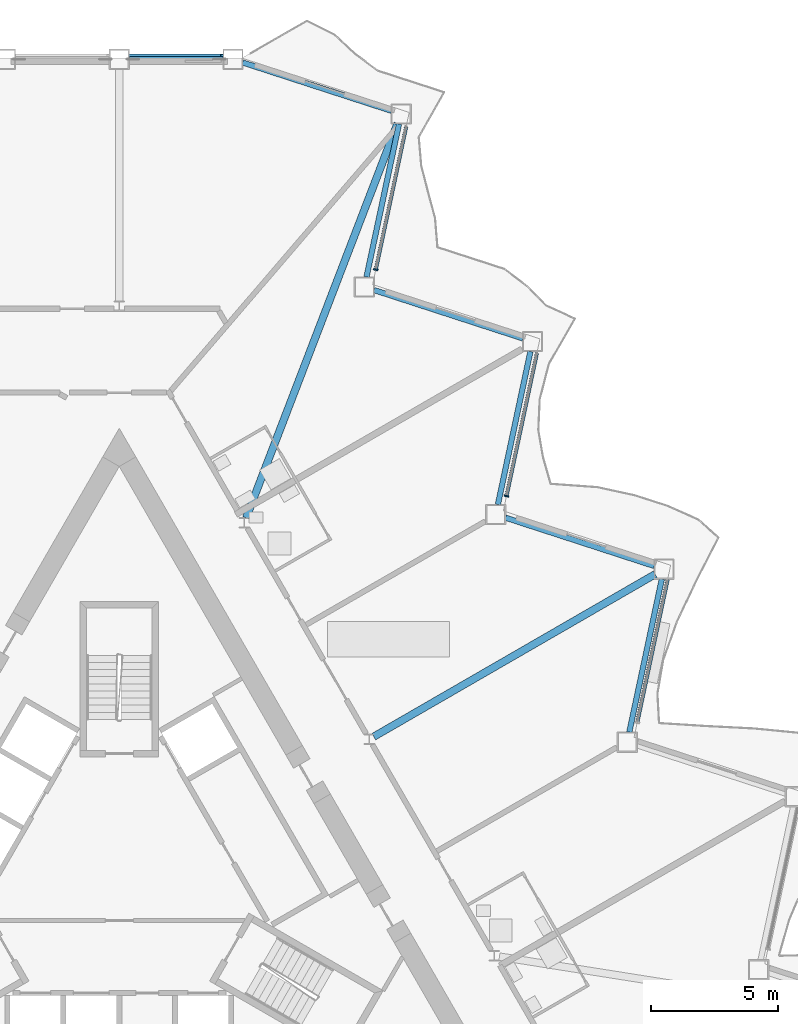
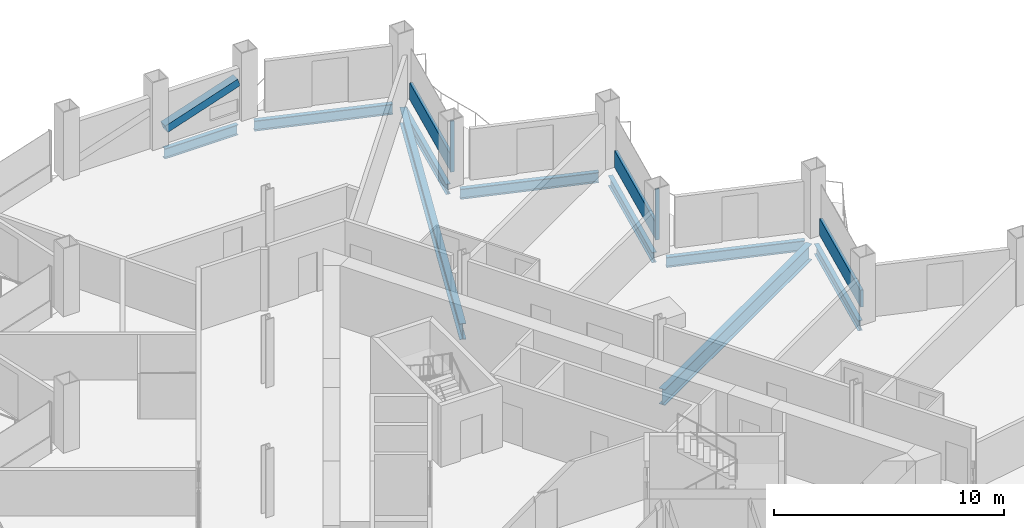
# One storey, part 8 of 22: 9 beams, 6 members, 3 elements without a shape of their own.
"""IFC4 building model written with IfcOpenShell, lengths in metres."""

from ifc_helpers import new_model, si_unit, direction, frame, origin, origin_2d, place, context, subcontext, project, spatial, rectangle, hollow_rectangle, i_section, extrude, material, layer, layer_set, material_profile, profile_set, type_object, element, aggregate, save


model = new_model("IFC4")

# Units and contexts
model_context = context("Model", 3, precision=1e-05, world=origin(), true_north=direction((0.0, 1.0)))
body_context = subcontext(model_context, "Body", "Model", "MODEL_VIEW")
ifc_project = project(units=[si_unit("LENGTHUNIT", "METRE"), si_unit("AREAUNIT", "SQUARE_METRE"), si_unit("VOLUMEUNIT", "CUBIC_METRE"), si_unit("PLANEANGLEUNIT", "RADIAN"), si_unit("MASSUNIT", "GRAM", prefix="KILO")], contexts=[model_context])

# Site, building, storey
site_placement = place(None, origin())
site = spatial("IfcSite", under=ifc_project, at=site_placement, CompositionType="ELEMENT")
building_placement = place(site_placement, origin())
building = spatial("IfcBuilding", under=site, at=building_placement, Name="Cormorant Prow Tower", CompositionType="ELEMENT")
storey_placement = place(building_placement, frame((0.0, 0.0, 194.39990234375)))
storey = spatial("IfcBuildingStorey", under=building, at=storey_placement, Name="L42", CompositionType="ELEMENT", Elevation=194.39990234375)

# Member
ifc_material_1 = material(Name="Structural steel ASTM A500 Gr C", Category="steel")
ifc_material_profile_1 = material_profile(ifc_material_1, hollow_rectangle(XDim=0.406494140625, YDim=0.406494140625, WallThickness=0.01171875, at=origin_2d()), Name="HSS16x16x1/2")
ifc_profile_set_1 = profile_set([ifc_material_profile_1], Name="Structural steel ASTM A500 Gr C")
member_type_1 = type_object("IfcMemberType", Name="Chamfer brace HSS16x16x1/2", PredefinedType="BRACE", material=ifc_profile_set_1)
member_1_placement = place(storey_placement, frame((0.417236328125, 32.3994140625, 0.740234375), z_axis=(0.947999999098, 0.0, 0.318270328039), x_axis=(0.0, 1.0, 0.0)))
element("IfcMember", 1, at=member_1_placement, inside=storey, type_object=member_type_1, Name="Chamfer brace BR2 at N00 L42", PredefinedType="BRACE", context=body_context, shape_type="SweptSolid", body=[
    extrude(hollow_rectangle(XDim=0.406494140625, YDim=0.406494140625, WallThickness=0.01171875, at=origin_2d()), origin(), (0.0, 0.0, 1.0), 3.83544921875),
])

# Curtain wall, member
ifc_material_2 = material(Name="Aluminium 6063-T6", Category="aluminium")
ifc_layer = layer(ifc_material_2, 0.179931640625)
ifc_layer_set = layer_set([ifc_layer], Name="Aluminium 6063-T6")
curtain_wall_type = type_object("IfcCurtainWallType", Name="Hotel unitised curtain wall 180", PredefinedType="NOTDEFINED", material=ifc_layer_set)
curtain_wall_1_placement = place(storey_placement, origin())
curtain_wall_1 = element("IfcCurtainWall", 2, at=curtain_wall_1_placement, inside=storey, type_object=curtain_wall_type, Name="Hotel curtain wall ENE06", PredefinedType="NOTDEFINED")
ifc_material_3 = material(Name="Aluminium 6063-T6", Category="aluminium")
ifc_material_profile_2 = material_profile(ifc_material_3, rectangle(XDim=0.179931640625, YDim=0.06005859375, at=origin_2d()), Name="Hotel mullion 60x180")
ifc_profile_set_2 = profile_set([ifc_material_profile_2], Name="Aluminium 6063-T6")
member_type_2 = type_object("IfcMemberType", Name="Hotel mullion 60x180", PredefinedType="MULLION", material=ifc_profile_set_2)
member_2_placement = place(storey_placement, frame((15.22119140625, 15.234619140625, 0.0), z_axis=(0.0, 0.0, 1.0), x_axis=(-0.978147607432, 0.207911659303, 0.0)))
member_2 = element("IfcMember", 3, at=member_2_placement, type_object=member_type_2, Name="Hotel mullion ENE06", PredefinedType="MULLION", context=body_context, shape_type="SweptSolid", body=[
    extrude(rectangle(XDim=0.179931640625, YDim=0.06005859375, at=origin_2d()), origin(), (0.0, 0.0, 1.0), 2.700927734375),
])

curtain_wall_2_placement = place(storey_placement, origin())
curtain_wall_2 = element("IfcCurtainWall", 4, at=curtain_wall_2_placement, inside=storey, type_object=curtain_wall_type, Name="Hotel curtain wall ENE08", PredefinedType="NOTDEFINED")
member_3_placement = place(storey_placement, frame((10.08251953125, 24.134765625, 0.0), z_axis=(0.0, 0.0, 1.0), x_axis=(-0.978147607432, 0.207911659303, 0.0)))
member_3 = element("IfcMember", 5, at=member_3_placement, type_object=member_type_2, Name="Hotel mullion ENE08", PredefinedType="MULLION", context=body_context, shape_type="SweptSolid", body=[
    extrude(rectangle(XDim=0.179931640625, YDim=0.06005859375, at=origin_2d()), origin(), (0.0, 0.0, 1.0), 2.700927734375),
])

curtain_wall_3_placement = place(storey_placement, origin())
curtain_wall_3 = element("IfcCurtainWall", 6, at=curtain_wall_3_placement, inside=storey, type_object=curtain_wall_type, Name="Hotel curtain wall ENE04", PredefinedType="NOTDEFINED")
ifc_material_4 = material(Name="Terracotta", Category="masonry")
ifc_material_profile_3 = material_profile(ifc_material_4, rectangle(XDim=0.139892578125, YDim=0.89990234375, at=origin_2d()), Name="Hotel terracotta spandrel rail 140x900")
ifc_profile_set_3 = profile_set([ifc_material_profile_3], Name="Terracotta")
member_type_3 = type_object("IfcMemberType", Name="Hotel terracotta spandrel rail 140x900", PredefinedType="USERDEFINED", material=ifc_profile_set_3)
member_4_placement = place(storey_placement, frame((20.365966796875, 6.36376953125, 0.4501953125), z_axis=(0.207875606044, 0.978155270093, 0.0), x_axis=(-0.978155270093, 0.207875606044, 0.0)))
member_4 = element("IfcMember", 7, at=member_4_placement, type_object=member_type_3, Name="Hotel spandrel rail ENE04", ObjectType="TRANSOM", PredefinedType="USERDEFINED", context=body_context, shape_type="SweptSolid", body=[
    extrude(rectangle(XDim=0.139892578125, YDim=0.89990234375, at=origin_2d()), origin(), (0.0, 0.0, 1.0), 5.718505859375),
])
aggregate(curtain_wall_3, [member_4])

# Member
member_5_placement = place(storey_placement, frame((15.227294921875, 15.263916015625, 0.4501953125), z_axis=(0.207916454305, 0.978146588211, 0.0), x_axis=(-0.978146588211, 0.207916454305, 0.0)))
member_5 = element("IfcMember", 8, at=member_5_placement, type_object=member_type_3, Name="Hotel spandrel rail ENE06", ObjectType="TRANSOM", PredefinedType="USERDEFINED", context=body_context, shape_type="SweptSolid", body=[
    extrude(rectangle(XDim=0.139892578125, YDim=0.89990234375, at=origin_2d()), origin(), (0.0, 0.0, 1.0), 5.718505859375),
])

aggregate(curtain_wall_1, [member_2, member_5])

member_6_placement = place(storey_placement, frame((10.0888671875, 24.1640625, 0.4501953125), z_axis=(0.207916454305, 0.978146588211, 0.0), x_axis=(-0.978146588211, 0.207916454305, 0.0)))
member_6 = element("IfcMember", 9, at=member_6_placement, type_object=member_type_3, Name="Hotel spandrel rail ENE08", ObjectType="TRANSOM", PredefinedType="USERDEFINED", context=body_context, shape_type="SweptSolid", body=[
    extrude(rectangle(XDim=0.139892578125, YDim=0.89990234375, at=origin_2d()), origin(), (0.0, 0.0, 1.0), 5.718505859375),
])

aggregate(curtain_wall_2, [member_3, member_6])

# Beams
ifc_material_5 = material(Name="Structural steel ASTM A992 Gr 50", Category="steel")
ifc_material_profile_4 = material_profile(ifc_material_5, i_section(OverallWidth=0.29296875, OverallDepth=0.845703125, WebThickness=0.015380859375, FlangeThickness=0.0244140625, at=origin_2d()), Name="W33x141")
ifc_profile_set_4 = profile_set([ifc_material_profile_4], Name="Structural steel ASTM A992 Gr 50")
beam_type_1 = type_object("IfcBeamType", Name="Radial floor beam W33x141", PredefinedType="BEAM", material=ifc_profile_set_4)
beam_1_placement = place(storey_placement, frame((10.0048828125, 5.7763671875, -0.772705078125), z_axis=(0.866026069776, 0.499998846467, 0.0), x_axis=(-0.499998846467, 0.866026069776, 0.0)))
element("IfcBeam", 10, at=beam_1_placement, inside=storey, type_object=beam_type_1, Name="Radial floor beam FB2 11 L42", PredefinedType="BEAM", context=body_context, shape_type="SweptSolid", body=[
    extrude(i_section(OverallWidth=0.29296875, OverallDepth=0.845703125, WebThickness=0.015380859375, FlangeThickness=0.0244140625, at=origin_2d()), origin(), (0.0, 0.0, 1.0), 12.76904296875),
])
beam_2_placement = place(storey_placement, frame((4.9873046875, 14.376220703125, -0.772705078125), z_axis=(0.358301123829, 0.933606075742, 0.0), x_axis=(-0.933606075742, 0.358301123829, 0.0)))
element("IfcBeam", 11, at=beam_2_placement, inside=storey, type_object=beam_type_1, Name="Radial floor beam FB2 12 L42", PredefinedType="BEAM", context=body_context, shape_type="SweptSolid", body=[
    extrude(i_section(OverallWidth=0.29296875, OverallDepth=0.845703125, WebThickness=0.015380859375, FlangeThickness=0.0244140625, at=origin_2d()), origin(), (0.0, 0.0, 1.0), 16.604736328125),
])
ifc_material_6 = material(Name="Structural steel ASTM A992 Gr 50", Category="steel")
ifc_material_profile_5 = material_profile(ifc_material_6, i_section(OverallWidth=0.2138671875, OverallDepth=0.549072265625, WebThickness=0.0146484375, FlangeThickness=0.023681640625, at=origin_2d()), Name="W21x93")
ifc_profile_set_5 = profile_set([ifc_material_profile_5], Name="Structural steel ASTM A992 Gr 50")
beam_type_2 = type_object("IfcBeamType", Name="Spandrel beam W21x93", PredefinedType="SPANDREL", material=ifc_profile_set_5)
beam_3_placement = place(storey_placement, frame((20.0478515625, 5.9541015625, -0.62451171875), z_axis=(0.207904811195, 0.978149063018, 0.0), x_axis=(-0.978149063018, 0.207904811195, 0.0)))
element("IfcBeam", 12, at=beam_3_placement, inside=storey, type_object=beam_type_2, Name="Spandrel beam SB2 ENE04-ENE05 L42", PredefinedType="SPANDREL", context=body_context, shape_type="SweptSolid", body=[
    extrude(i_section(OverallWidth=0.2138671875, OverallDepth=0.549072265625, WebThickness=0.0146484375, FlangeThickness=0.023681640625, at=origin_2d()), origin(), (0.0, 0.0, 1.0), 6.149658203125),
])
beam_4_placement = place(storey_placement, frame((21.029052734375, 12.484375, -0.62451171875), z_axis=(-0.951057696564, 0.309013361859, 0.0), x_axis=(-0.309013361859, -0.951057696564, 0.0)))
element("IfcBeam", 13, at=beam_4_placement, inside=storey, type_object=beam_type_2, Name="Spandrel beam SB2 ENE05-ENE06 L42", PredefinedType="SPANDREL", context=body_context, shape_type="SweptSolid", body=[
    extrude(i_section(OverallWidth=0.2138671875, OverallDepth=0.549072265625, WebThickness=0.0146484375, FlangeThickness=0.023681640625, at=origin_2d()), origin(), (0.0, 0.0, 1.0), 6.14990234375),
])
beam_5_placement = place(storey_placement, frame((14.883056640625, 14.899658203125, -0.62451171875), z_axis=(0.207904811195, 0.978149063018, 0.0), x_axis=(-0.978149063018, 0.207904811195, 0.0)))
element("IfcBeam", 14, at=beam_5_placement, inside=storey, type_object=beam_type_2, Name="Spandrel beam SB2 ENE06-ENE07 L42", PredefinedType="SPANDREL", context=body_context, shape_type="SweptSolid", body=[
    extrude(i_section(OverallWidth=0.2138671875, OverallDepth=0.549072265625, WebThickness=0.0146484375, FlangeThickness=0.023681640625, at=origin_2d()), origin(), (0.0, 0.0, 1.0), 6.149658203125),
])
beam_6_placement = place(storey_placement, frame((15.864501953125, 21.429931640625, -0.62451171875), z_axis=(-0.951057696564, 0.309013361859, 0.0), x_axis=(-0.309013361859, -0.951057696564, 0.0)))
element("IfcBeam", 15, at=beam_6_placement, inside=storey, type_object=beam_type_2, Name="Spandrel beam SB2 ENE07-ENE08 L42", PredefinedType="SPANDREL", context=body_context, shape_type="SweptSolid", body=[
    extrude(i_section(OverallWidth=0.2138671875, OverallDepth=0.549072265625, WebThickness=0.0146484375, FlangeThickness=0.023681640625, at=origin_2d()), origin(), (0.0, 0.0, 1.0), 6.14990234375),
])
beam_7_placement = place(storey_placement, frame((9.71826171875, 23.84521484375, -0.62451171875), z_axis=(0.207904811195, 0.978149063018, 0.0), x_axis=(-0.978149063018, 0.207904811195, 0.0)))
element("IfcBeam", 16, at=beam_7_placement, inside=storey, type_object=beam_type_2, Name="Spandrel beam SB2 ENE08-ENE09 L42", PredefinedType="SPANDREL", context=body_context, shape_type="SweptSolid", body=[
    extrude(i_section(OverallWidth=0.2138671875, OverallDepth=0.549072265625, WebThickness=0.0146484375, FlangeThickness=0.023681640625, at=origin_2d()), origin(), (0.0, 0.0, 1.0), 6.149658203125),
])
beam_8_placement = place(storey_placement, frame((10.69970703125, 30.37548828125, -0.62451171875), z_axis=(-0.951057696564, 0.309013361859, 0.0), x_axis=(-0.309013361859, -0.951057696564, 0.0)))
element("IfcBeam", 17, at=beam_8_placement, inside=storey, type_object=beam_type_2, Name="Spandrel beam SB2 ENE09-N00 L42", PredefinedType="SPANDREL", context=body_context, shape_type="SweptSolid", body=[
    extrude(i_section(OverallWidth=0.2138671875, OverallDepth=0.549072265625, WebThickness=0.0146484375, FlangeThickness=0.023681640625, at=origin_2d()), origin(), (0.0, 0.0, 1.0), 6.14990234375),
])
beam_9_placement = place(storey_placement, frame((4.0703125, 32.3994140625, -0.62451171875), z_axis=(-1.0, 0.0, 0.0), x_axis=(0.0, -1.0, 0.0)))
element("IfcBeam", 18, at=beam_9_placement, inside=storey, type_object=beam_type_2, Name="Spandrel beam SB2 N00-N01 L42", PredefinedType="SPANDREL", context=body_context, shape_type="SweptSolid", body=[
    extrude(i_section(OverallWidth=0.2138671875, OverallDepth=0.549072265625, WebThickness=0.0146484375, FlangeThickness=0.023681640625, at=origin_2d()), origin(), (0.0, 0.0, 1.0), 3.67041015625),
])

save(model, "model.ifc")
